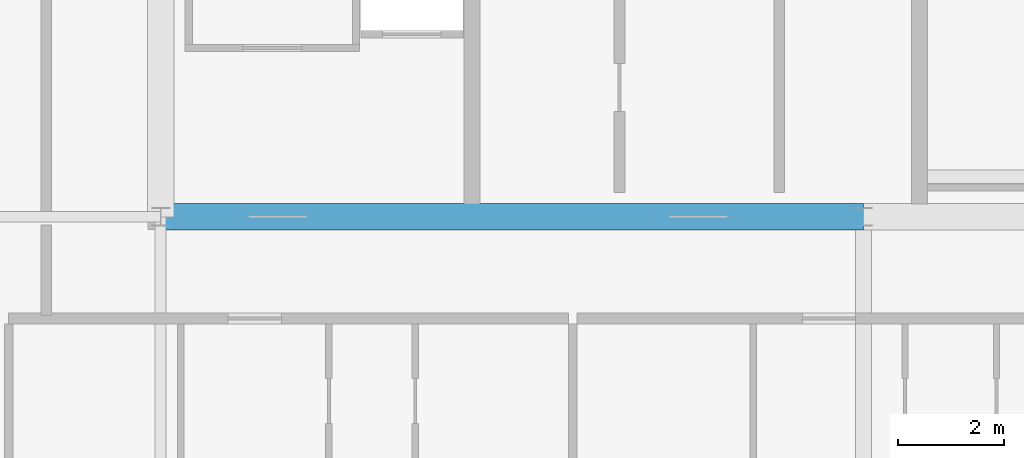
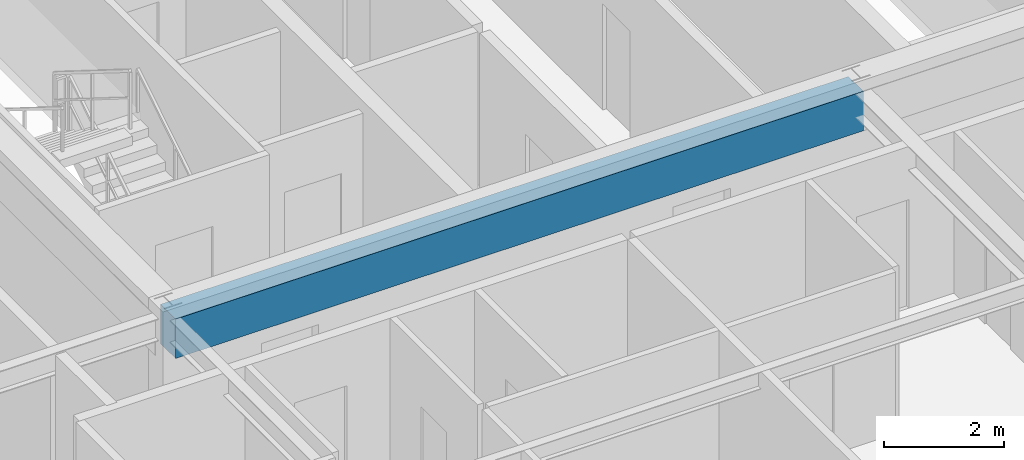
# One storey, part 7 of 35: 1 beam.
"""IFC4 building model written with IfcOpenShell, lengths in metres."""

from ifc_helpers import new_model, si_unit, direction, frame, origin, origin_2d, place, context, subcontext, project, spatial, rectangle, extrude, source, transform, mapped, material, material_profile, profile_set, type_object, element, save


model = new_model("IFC4")

# Units and contexts
model_context = context("Model", 3, precision=1e-05, world=origin(), true_north=direction((0.0, 1.0)))
body_context = subcontext(model_context, "Body", "Model", "MODEL_VIEW")
ifc_project = project(units=[si_unit("LENGTHUNIT", "METRE"), si_unit("AREAUNIT", "SQUARE_METRE"), si_unit("VOLUMEUNIT", "CUBIC_METRE"), si_unit("PLANEANGLEUNIT", "RADIAN"), si_unit("MASSUNIT", "GRAM", prefix="KILO"), si_unit("THERMODYNAMICTEMPERATUREUNIT", "KELVIN"), si_unit("POWERUNIT", "WATT")], contexts=[model_context])

# Site, building, storey
site_placement = place(None, origin())
site = spatial("IfcSite", under=ifc_project, at=site_placement, CompositionType="ELEMENT")
building_placement = place(site_placement, origin())
building = spatial("IfcBuilding", under=site, at=building_placement, Name="Yuzanri Waterfront Tower", CompositionType="ELEMENT")
storey_placement = place(building_placement, frame((0.0, 0.0, 285.60009765625)))
storey = spatial("IfcBuildingStorey", under=building, at=storey_placement, Name="L76", CompositionType="ELEMENT", Elevation=285.60009765625)

# Beam
ifc_material = material(Name="Concrete C50", Category="concrete")
ifc_material_profile = material_profile(ifc_material, rectangle(XDim=0.5, YDim=0.800048828125, at=origin_2d()), Name="RC 500x800")
ifc_profile_set = profile_set([ifc_material_profile], Name="Concrete C50")
beam_type = type_object("IfcBeamType", Name="Core Coupling Lintel Concrete C50 500x800", PredefinedType="LINTEL", material=ifc_profile_set)
shared_shape = source(origin(), body_context, "Body", "SweptSolid", [
    extrude(rectangle(XDim=0.5, YDim=0.800048828125, at=origin_2d()), origin(), (0.0, 0.0, 1.0), 13.199951171875),
])
beam_placement = place(storey_placement, frame((23.800048828125, 19.39990234375, 2.8798828125), z_axis=(1.0, 0.0, 0.0), x_axis=(0.0, 1.0, 0.0)))
element("IfcBeam", 1, at=beam_placement, inside=storey, type_object=beam_type, Name="L76 Core Tie Beam CS1", PredefinedType="LINTEL", context=body_context, shape_type="MappedRepresentation", body=[
    mapped(shared_shape, transform((0.0, 0.0, 0.0), scale=1.0)),
])

save(model, "model.ifc")
